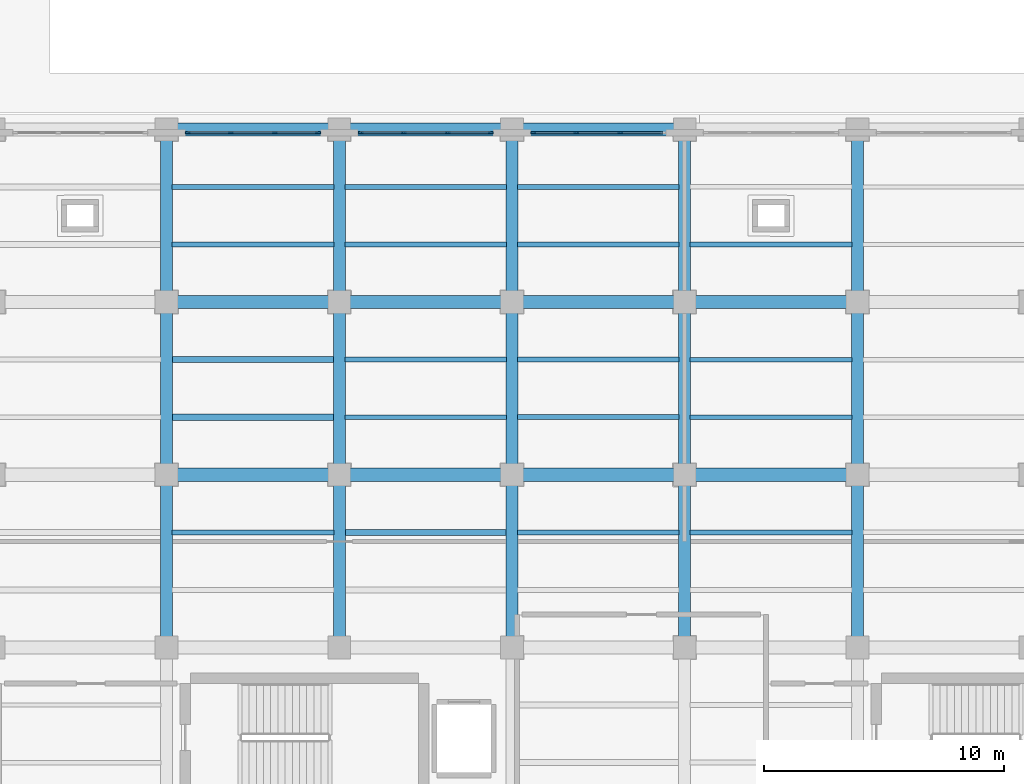
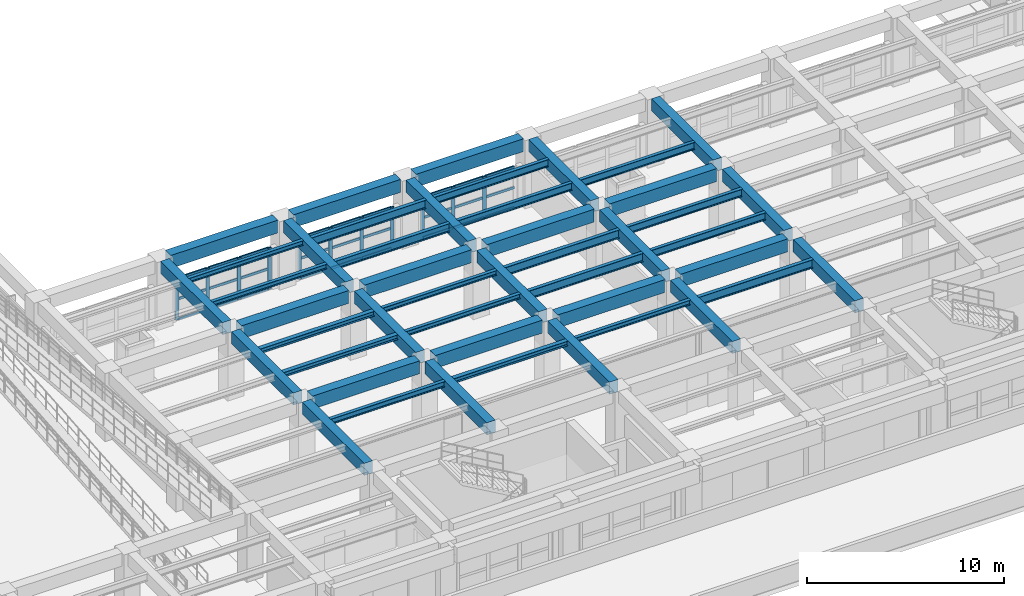
# One storey, part 14 of 64: 45 beams, 38 members, 3 elements without a shape of their own.
"""IFC4 building model written with IfcOpenShell, lengths in metres."""

from ifc_helpers import new_model, si_unit, direction, frame, origin, origin_2d, place, context, subcontext, project, spatial, rectangle, i_section, extrude, material, layer, layer_set, material_profile, profile_set, type_object, element, aggregate, save


model = new_model("IFC4")

# Units and contexts
model_context = context("Model", 3, precision=1e-05, world=origin(), true_north=direction((0.0, 1.0)))
body_context = subcontext(model_context, "Body", "Model", "MODEL_VIEW")
ifc_project = project(units=[si_unit("LENGTHUNIT", "METRE"), si_unit("AREAUNIT", "SQUARE_METRE"), si_unit("VOLUMEUNIT", "CUBIC_METRE"), si_unit("PLANEANGLEUNIT", "RADIAN"), si_unit("MASSUNIT", "GRAM", prefix="KILO")], contexts=[model_context])

# Site, building, storey
site_placement = place(None, origin())
site = spatial("IfcSite", under=ifc_project, at=site_placement, CompositionType="ELEMENT")
building_placement = place(site_placement, origin())
building = spatial("IfcBuilding", under=site, at=building_placement, Name="Solenvale Faculty of Natural Sciences", CompositionType="ELEMENT")
storey_placement = place(building_placement, origin())
storey = spatial("IfcBuildingStorey", under=building, at=storey_placement, Name="L00", CompositionType="ELEMENT", Elevation=0.0)

# Beams
ifc_material_1 = material(Name="Concrete 40 MPa", Category="concrete")
ifc_material_profile_1 = material_profile(ifc_material_1, rectangle(XDim=0.5, YDim=0.75, at=origin_2d()), Name="RC-BM-500x750")
ifc_profile_set_1 = profile_set([ifc_material_profile_1], Name="Concrete 40 MPa")
beam_type_1 = type_object("IfcBeamType", Name="BM-RC-500x750", PredefinedType="BEAM", material=ifc_profile_set_1)
for number, where, z_axis, x_axis, name in (
    (1, (64.800048828125, 29.2548828125, 3.844970703125), (0.0, 1.0, 0.0), (-1.0, 0.0, 0.0), "L00 Y-Girder X64.8 (28.8..36.0)"),
    (2, (64.800048828125, 36.455078125, 3.844970703125), (0.0, 1.0, 0.0), (-1.0, 0.0, 0.0), "L00 Y-Girder X64.8 (36.0..43.2)"),
    (3, (64.800048828125, 43.655029296875, 3.844970703125), (0.0, 1.0, 0.0), (-1.0, 0.0, 0.0), "L00 Y-Girder X64.8 (43.2..50.4)"),
    (4, (72.0, 29.2548828125, 3.844970703125), (0.0, 1.0, 0.0), (-1.0, 0.0, 0.0), "L00 Y-Girder X72.0 (28.8..36.0)"),
    (5, (72.0, 36.455078125, 3.844970703125), (0.0, 1.0, 0.0), (-1.0, 0.0, 0.0), "L00 Y-Girder X72.0 (36.0..43.2)"),
    (6, (72.0, 43.655029296875, 3.844970703125), (0.0, 1.0, 0.0), (-1.0, 0.0, 0.0), "L00 Y-Girder X72.0 (43.2..50.4)"),
    (7, (79.199951171875, 29.2548828125, 3.844970703125), (0.0, 1.0, 0.0), (-1.0, 0.0, 0.0), "L00 Y-Girder X79.2 (28.8..36.0)"),
    (8, (79.199951171875, 36.455078125, 3.844970703125), (0.0, 1.0, 0.0), (-1.0, 0.0, 0.0), "L00 Y-Girder X79.2 (36.0..43.2)"),
    (9, (79.199951171875, 43.655029296875, 3.844970703125), (0.0, 1.0, 0.0), (-1.0, 0.0, 0.0), "L00 Y-Girder X79.2 (43.2..50.4)"),
    (10, (86.39990234375, 29.2548828125, 3.844970703125), (0.0, 1.0, 0.0), (-1.0, 0.0, 0.0), "L00 Y-Girder X86.4 (28.8..36.0)"),
    (11, (86.39990234375, 36.455078125, 3.844970703125), (0.0, 1.0, 0.0), (-1.0, 0.0, 0.0), "L00 Y-Girder X86.4 (36.0..43.2)"),
    (12, (86.39990234375, 43.655029296875, 3.844970703125), (0.0, 1.0, 0.0), (-1.0, 0.0, 0.0), "L00 Y-Girder X86.4 (43.2..50.4)"),
    (13, (93.60009765625, 29.2548828125, 3.844970703125), (0.0, 1.0, 0.0), (-1.0, 0.0, 0.0), "L00 Y-Girder X93.6 (28.8..36.0)"),
    (14, (93.60009765625, 36.455078125, 3.844970703125), (0.0, 1.0, 0.0), (-1.0, 0.0, 0.0), "L00 Y-Girder X93.6 (36.0..43.2)"),
    (15, (93.60009765625, 43.655029296875, 3.844970703125), (0.0, 1.0, 0.0), (-1.0, 0.0, 0.0), "L00 Y-Girder X93.6 (43.2..50.4)"),
):
    element("IfcBeam", number, at=place(storey_placement, frame(where, z_axis=z_axis, x_axis=x_axis)), inside=storey, type_object=beam_type_1, Name=name, PredefinedType="BEAM", context=body_context, shape_type="SweptSolid", body=[
        extrude(rectangle(XDim=0.5, YDim=0.75, at=origin_2d()), origin(), (0.0, 0.0, 1.0), 6.2900390625),
    ])
ifc_material_profile_2 = material_profile(ifc_material_1, rectangle(XDim=0.550048828125, YDim=0.800048828125, at=origin_2d()), Name="RC-BM-550x800")
ifc_profile_set_2 = profile_set([ifc_material_profile_2], Name="Concrete 40 MPa")
beam_type_2 = type_object("IfcBeamType", Name="BM-RC-550x800", PredefinedType="BEAM", material=ifc_profile_set_2)
for number, where, z_axis, x_axis, name in (
    (16, (65.2548828125, 36.0, 3.820068359375), (1.0, 0.0, 0.0), (0.0, 1.0, 0.0), "L00 X-Girder Y36.0 (64.8..72.0)"),
    (17, (72.455078125, 36.0, 3.820068359375), (1.0, 0.0, 0.0), (0.0, 1.0, 0.0), "L00 X-Girder Y36.0 (72.0..79.2)"),
    (18, (79.655029296875, 36.0, 3.820068359375), (1.0, 0.0, 0.0), (0.0, 1.0, 0.0), "L00 X-Girder Y36.0 (79.2..86.4)"),
    (19, (86.85498046875, 36.0, 3.820068359375), (1.0, 0.0, 0.0), (0.0, 1.0, 0.0), "L00 X-Girder Y36.0 (86.4..93.6)"),
    (20, (65.2548828125, 43.199951171875, 3.820068359375), (1.0, 0.0, 0.0), (0.0, 1.0, 0.0), "L00 X-Girder Y43.2 (64.8..72.0)"),
    (21, (72.455078125, 43.199951171875, 3.820068359375), (1.0, 0.0, 0.0), (0.0, 1.0, 0.0), "L00 X-Girder Y43.2 (72.0..79.2)"),
    (22, (79.655029296875, 43.199951171875, 3.820068359375), (1.0, 0.0, 0.0), (0.0, 1.0, 0.0), "L00 X-Girder Y43.2 (79.2..86.4)"),
    (23, (86.85498046875, 43.199951171875, 3.820068359375), (1.0, 0.0, 0.0), (0.0, 1.0, 0.0), "L00 X-Girder Y43.2 (86.4..93.6)"),
    (24, (65.2548828125, 50.39990234375, 3.820068359375), (1.0, 0.0, 0.0), (0.0, 1.0, 0.0), "L00 X-Girder Y50.4 (64.8..72.0)"),
    (25, (72.455078125, 50.39990234375, 3.820068359375), (1.0, 0.0, 0.0), (0.0, 1.0, 0.0), "L00 X-Girder Y50.4 (72.0..79.2)"),
    (26, (79.655029296875, 50.39990234375, 3.820068359375), (1.0, 0.0, 0.0), (0.0, 1.0, 0.0), "L00 X-Girder Y50.4 (79.2..86.4)"),
):
    element("IfcBeam", number, at=place(storey_placement, frame(where, z_axis=z_axis, x_axis=x_axis)), inside=storey, type_object=beam_type_2, Name=name, PredefinedType="BEAM", context=body_context, shape_type="SweptSolid", body=[
        extrude(rectangle(XDim=0.550048828125, YDim=0.800048828125, at=origin_2d()), origin(), (0.0, 0.0, 1.0), 6.2900390625),
    ])
ifc_material_2 = material(Name="Steel S355", Category="steel")
ifc_material_profile_3 = material_profile(ifc_material_2, i_section(OverallWidth=0.202880859375, OverallDepth=0.302978515625, WebThickness=0.007568359375, FlangeThickness=0.01318359375, FilletRadius=0.014892578125, at=origin_2d()), Name="W310x60")
ifc_profile_set_3 = profile_set([ifc_material_profile_3], Name="Steel S355")
beam_type_3 = type_object("IfcBeamType", Name="BM-STL-W310x60", PredefinedType="JOIST", material=ifc_profile_set_3)
for number, where, z_axis, x_axis, name in (
    (27, (65.030029296875, 45.60009765625, 4.068603515625), (1.0, 0.0, 0.0), (0.0, 1.0, 0.0), "L00 Composite Floor Joist (10,7).1"),
    (28, (65.030029296875, 48.0, 4.068603515625), (1.0, 0.0, 0.0), (0.0, 1.0, 0.0), "L00 Composite Floor Joist (10,7).2"),
    (29, (72.22998046875, 38.39990234375, 4.068603515625), (1.0, 0.0, 0.0), (0.0, 1.0, 0.0), "L00 Composite Floor Joist (11,6).1"),
    (30, (72.22998046875, 40.800048828125, 4.068603515625), (1.0, 0.0, 0.0), (0.0, 1.0, 0.0), "L00 Composite Floor Joist (11,6).2"),
    (31, (79.429931640625, 33.60009765625, 4.068603515625), (1.0, 0.0, 0.0), (0.0, 1.0, 0.0), "L00 Composite Floor Joist (12,5).2"),
):
    element("IfcBeam", number, at=place(storey_placement, frame(where, z_axis=z_axis, x_axis=x_axis)), inside=storey, type_object=beam_type_3, Name=name, PredefinedType="JOIST", context=body_context, shape_type="SweptSolid", body=[
        extrude(i_section(OverallWidth=0.202880859375, OverallDepth=0.302978515625, WebThickness=0.007568359375, FlangeThickness=0.01318359375, FilletRadius=0.014892578125, at=origin_2d()), origin(), (0.0, 0.0, 1.0), 6.739990234375),
    ])
ifc_material_profile_4 = material_profile(ifc_material_2, i_section(OverallWidth=0.25390625, OverallDepth=0.305908203125, WebThickness=0.0087890625, FlangeThickness=0.0146484375, FilletRadius=0.014892578125, at=origin_2d()), Name="W310x79")
ifc_profile_set_4 = profile_set([ifc_material_profile_4], Name="Steel S355")
beam_type_4 = type_object("IfcBeamType", Name="BM-STL-W310x79", PredefinedType="JOIST", material=ifc_profile_set_4)
for number, where, z_axis, x_axis, name in (
    (32, (65.030029296875, 38.39990234375, 4.06689453125), (1.0, 0.0, 0.0), (0.0, 1.0, 0.0), "L00 Composite Floor Joist (10,6).1"),
    (33, (65.030029296875, 40.800048828125, 4.06689453125), (1.0, 0.0, 0.0), (0.0, 1.0, 0.0), "L00 Composite Floor Joist (10,6).2"),
    (34, (72.22998046875, 33.60009765625, 4.06689453125), (1.0, 0.0, 0.0), (0.0, 1.0, 0.0), "L00 Composite Floor Joist (11,5).2"),
):
    element("IfcBeam", number, at=place(storey_placement, frame(where, z_axis=z_axis, x_axis=x_axis)), inside=storey, type_object=beam_type_4, Name=name, PredefinedType="JOIST", context=body_context, shape_type="SweptSolid", body=[
        extrude(i_section(OverallWidth=0.25390625, OverallDepth=0.305908203125, WebThickness=0.0087890625, FlangeThickness=0.0146484375, FilletRadius=0.014892578125, at=origin_2d()), origin(), (0.0, 0.0, 1.0), 6.739990234375),
    ])
ifc_material_profile_5 = material_profile(ifc_material_2, i_section(OverallWidth=0.2041015625, OverallDepth=0.35009765625, WebThickness=0.008544921875, FlangeThickness=0.01513671875, FilletRadius=0.014892578125, at=origin_2d()), Name="W360x72")
ifc_profile_set_5 = profile_set([ifc_material_profile_5], Name="Steel S355")
beam_type_5 = type_object("IfcBeamType", Name="BM-STL-W360x72", PredefinedType="JOIST", material=ifc_profile_set_5)
beam_1_placement = place(storey_placement, frame((65.030029296875, 33.60009765625, 4.044921875), z_axis=(1.0, 0.0, 0.0), x_axis=(0.0, 1.0, 0.0)))
element("IfcBeam", 35, at=beam_1_placement, inside=storey, type_object=beam_type_5, Name="L00 Composite Floor Joist (10,5).2", PredefinedType="JOIST", context=body_context, shape_type="SweptSolid", body=[
    extrude(i_section(OverallWidth=0.2041015625, OverallDepth=0.35009765625, WebThickness=0.008544921875, FlangeThickness=0.01513671875, FilletRadius=0.014892578125, at=origin_2d()), origin(), (0.0, 0.0, 1.0), 6.739990234375),
])
ifc_material_profile_6 = material_profile(ifc_material_2, i_section(OverallWidth=0.194091796875, OverallDepth=0.468994140625, WebThickness=0.0126953125, FlangeThickness=0.0205078125, FilletRadius=0.01806640625, at=origin_2d()), Name="W460x106")
ifc_profile_set_6 = profile_set([ifc_material_profile_6], Name="Steel S355")
beam_type_6 = type_object("IfcBeamType", Name="BM-STL-W460x106", PredefinedType="JOIST", material=ifc_profile_set_6)
for number, where, z_axis, x_axis, name in (
    (36, (79.429931640625, 45.60009765625, 3.985595703125), (1.0, 0.0, 0.0), (0.0, 1.0, 0.0), "L00 Composite Floor Joist (12,7).1"),
    (37, (79.429931640625, 48.0, 3.985595703125), (1.0, 0.0, 0.0), (0.0, 1.0, 0.0), "L00 Composite Floor Joist (12,7).2"),
):
    element("IfcBeam", number, at=place(storey_placement, frame(where, z_axis=z_axis, x_axis=x_axis)), inside=storey, type_object=beam_type_6, Name=name, PredefinedType="JOIST", context=body_context, shape_type="SweptSolid", body=[
        extrude(i_section(OverallWidth=0.194091796875, OverallDepth=0.468994140625, WebThickness=0.0126953125, FlangeThickness=0.0205078125, FilletRadius=0.01806640625, at=origin_2d()), origin(), (0.0, 0.0, 1.0), 6.739990234375),
    ])
for number, where, z_axis, x_axis, name in (
    (38, (86.6298828125, 38.39990234375, 3.985595703125), (1.0, 0.0, 0.0), (0.0, 1.0, 0.0), "L00 Composite Floor Joist (13,6).1"),
    (39, (86.6298828125, 40.800048828125, 3.985595703125), (1.0, 0.0, 0.0), (0.0, 1.0, 0.0), "L00 Composite Floor Joist (13,6).2"),
):
    element("IfcBeam", number, at=place(storey_placement, frame(where, z_axis=z_axis, x_axis=x_axis)), inside=storey, type_object=beam_type_6, Name=name, PredefinedType="JOIST", context=body_context, shape_type="SweptSolid", body=[
        extrude(i_section(OverallWidth=0.194091796875, OverallDepth=0.468994140625, WebThickness=0.0126953125, FlangeThickness=0.0205078125, FilletRadius=0.01806640625, at=origin_2d()), origin(), (0.0, 0.0, 1.0), 6.740234375),
    ])
ifc_material_profile_7 = material_profile(ifc_material_2, i_section(OverallWidth=0.19091796875, OverallDepth=0.4599609375, WebThickness=0.010009765625, FlangeThickness=0.01611328125, FilletRadius=0.01806640625, at=origin_2d()), Name="W460x82")
ifc_profile_set_7 = profile_set([ifc_material_profile_7], Name="Steel S355")
beam_type_7 = type_object("IfcBeamType", Name="BM-STL-W460x82", PredefinedType="JOIST", material=ifc_profile_set_7)
beam_2_placement = place(storey_placement, frame((86.6298828125, 45.60009765625, 3.989990234375), z_axis=(1.0, 0.0, 0.0), x_axis=(0.0, 1.0, 0.0)))
element("IfcBeam", 40, at=beam_2_placement, inside=storey, type_object=beam_type_7, Name="L00 Composite Floor Joist (13,7).1", PredefinedType="JOIST", context=body_context, shape_type="SweptSolid", body=[
    extrude(i_section(OverallWidth=0.19091796875, OverallDepth=0.4599609375, WebThickness=0.010009765625, FlangeThickness=0.01611328125, FilletRadius=0.01806640625, at=origin_2d()), origin(), (0.0, 0.0, 1.0), 6.740234375),
])
ifc_material_profile_8 = material_profile(ifc_material_2, i_section(OverallWidth=0.208984375, OverallDepth=0.532958984375, WebThickness=0.01025390625, FlangeThickness=0.015625, FilletRadius=0.01904296875, at=origin_2d()), Name="W530x92")
ifc_profile_set_8 = profile_set([ifc_material_profile_8], Name="Steel S355")
beam_type_8 = type_object("IfcBeamType", Name="BM-STL-W530x92", PredefinedType="JOIST", material=ifc_profile_set_8)
for number, where, z_axis, x_axis, name in (
    (41, (72.22998046875, 45.60009765625, 3.95361328125), (1.0, 0.0, 0.0), (0.0, 1.0, 0.0), "L00 Composite Floor Joist (11,7).1"),
    (42, (72.22998046875, 48.0, 3.95361328125), (1.0, 0.0, 0.0), (0.0, 1.0, 0.0), "L00 Composite Floor Joist (11,7).2"),
    (43, (79.429931640625, 38.39990234375, 3.95361328125), (1.0, 0.0, 0.0), (0.0, 1.0, 0.0), "L00 Composite Floor Joist (12,6).1"),
    (44, (79.429931640625, 40.800048828125, 3.95361328125), (1.0, 0.0, 0.0), (0.0, 1.0, 0.0), "L00 Composite Floor Joist (12,6).2"),
):
    element("IfcBeam", number, at=place(storey_placement, frame(where, z_axis=z_axis, x_axis=x_axis)), inside=storey, type_object=beam_type_8, Name=name, PredefinedType="JOIST", context=body_context, shape_type="SweptSolid", body=[
        extrude(i_section(OverallWidth=0.208984375, OverallDepth=0.532958984375, WebThickness=0.01025390625, FlangeThickness=0.015625, FilletRadius=0.01904296875, at=origin_2d()), origin(), (0.0, 0.0, 1.0), 6.739990234375),
    ])
beam_3_placement = place(storey_placement, frame((86.6298828125, 33.60009765625, 3.95361328125), z_axis=(1.0, 0.0, 0.0), x_axis=(0.0, 1.0, 0.0)))
element("IfcBeam", 45, at=beam_3_placement, inside=storey, type_object=beam_type_8, Name="L00 Composite Floor Joist (13,5).2", PredefinedType="JOIST", context=body_context, shape_type="SweptSolid", body=[
    extrude(i_section(OverallWidth=0.208984375, OverallDepth=0.532958984375, WebThickness=0.01025390625, FlangeThickness=0.015625, FilletRadius=0.01904296875, at=origin_2d()), origin(), (0.0, 0.0, 1.0), 6.740234375),
])

# Curtain wall, members
ifc_material_3 = material(Name="Anodised bronze aluminium", Category="aluminium")
ifc_layer = layer(ifc_material_3, 0.179931640625)
ifc_layer_set = layer_set([ifc_layer], Name="Anodised bronze aluminium")
curtain_wall_type = type_object("IfcCurtainWallType", Name="CW-TWR-MOD", PredefinedType="USERDEFINED", material=ifc_layer_set)
curtain_wall_1_placement = place(storey_placement, origin())
curtain_wall_1 = element("IfcCurtainWall", 46, at=curtain_wall_1_placement, inside=storey, type_object=curtain_wall_type, Name="L00 Curtain Wall CW-L00-P1-E9-B5", ObjectType="UNITISED CURTAIN WALL", PredefinedType="USERDEFINED")
ifc_material_profile_9 = material_profile(ifc_material_3, rectangle(XDim=0.074951171875, YDim=0.2099609375, at=origin_2d()), Name="ALU-MUL-75x210")
ifc_profile_set_9 = profile_set([ifc_material_profile_9], Name="Anodised bronze aluminium")
member_type_1 = type_object("IfcMemberType", Name="CWM-ALU-75x210", PredefinedType="MULLION", material=ifc_profile_set_9)
member_1_placement = place(storey_placement, frame((83.716552734375, 50.257568359375, 0.0), z_axis=(0.0, 0.0, 1.0), x_axis=(0.0, -1.0, 0.0)))
member_1 = element("IfcMember", 47, at=member_1_placement, type_object=member_type_1, Name="CW-04 mullion 2", PredefinedType="MULLION", context=body_context, shape_type="SweptSolid", body=[
    extrude(rectangle(XDim=0.074951171875, YDim=0.2099609375, at=origin_2d()), origin(), (0.0, 0.0, 1.0), 2.60009765625),
])
member_2_placement = place(storey_placement, frame((81.88330078125, 50.257568359375, 0.0), z_axis=(0.0, 0.0, 1.0), x_axis=(0.0, -1.0, 0.0)))
member_2 = element("IfcMember", 48, at=member_2_placement, type_object=member_type_1, Name="CW-04 mullion 3", PredefinedType="MULLION", context=body_context, shape_type="SweptSolid", body=[
    extrude(rectangle(XDim=0.074951171875, YDim=0.2099609375, at=origin_2d()), origin(), (0.0, 0.0, 1.0), 2.60009765625),
])
member_3_placement = place(storey_placement, frame((80.08740234375, 50.257568359375, 0.0), z_axis=(0.0, 0.0, 1.0), x_axis=(0.0, -1.0, 0.0)))
member_3 = element("IfcMember", 49, at=member_3_placement, type_object=member_type_1, Name="CW-04 mullion 4", PredefinedType="MULLION", context=body_context, shape_type="SweptSolid", body=[
    extrude(rectangle(XDim=0.074951171875, YDim=0.2099609375, at=origin_2d()), origin(), (0.0, 0.0, 1.0), 2.60009765625),
])

curtain_wall_2_placement = place(storey_placement, origin())
curtain_wall_2 = element("IfcCurtainWall", 50, at=curtain_wall_2_placement, inside=storey, type_object=curtain_wall_type, Name="L00 Curtain Wall CW-L00-P1-E9-B6", ObjectType="UNITISED CURTAIN WALL", PredefinedType="USERDEFINED")
member_4_placement = place(storey_placement, frame((78.3125, 50.257568359375, 0.0), z_axis=(0.0, 0.0, 1.0), x_axis=(0.0, -1.0, 0.0)))
member_4 = element("IfcMember", 51, at=member_4_placement, type_object=member_type_1, Name="CW-04 mullion 1", PredefinedType="MULLION", context=body_context, shape_type="SweptSolid", body=[
    extrude(rectangle(XDim=0.074951171875, YDim=0.2099609375, at=origin_2d()), origin(), (0.0, 0.0, 1.0), 2.60009765625),
])
member_5_placement = place(storey_placement, frame((76.5166015625, 50.257568359375, 0.0), z_axis=(0.0, 0.0, 1.0), x_axis=(0.0, -1.0, 0.0)))
member_5 = element("IfcMember", 52, at=member_5_placement, type_object=member_type_1, Name="CW-04 mullion 2", PredefinedType="MULLION", context=body_context, shape_type="SweptSolid", body=[
    extrude(rectangle(XDim=0.074951171875, YDim=0.2099609375, at=origin_2d()), origin(), (0.0, 0.0, 1.0), 2.60009765625),
])
member_6_placement = place(storey_placement, frame((74.683349609375, 50.257568359375, 0.0), z_axis=(0.0, 0.0, 1.0), x_axis=(0.0, -1.0, 0.0)))
member_6 = element("IfcMember", 53, at=member_6_placement, type_object=member_type_1, Name="CW-04 mullion 3", PredefinedType="MULLION", context=body_context, shape_type="SweptSolid", body=[
    extrude(rectangle(XDim=0.074951171875, YDim=0.2099609375, at=origin_2d()), origin(), (0.0, 0.0, 1.0), 2.60009765625),
])
member_7_placement = place(storey_placement, frame((72.887451171875, 50.257568359375, 0.0), z_axis=(0.0, 0.0, 1.0), x_axis=(0.0, -1.0, 0.0)))
member_7 = element("IfcMember", 54, at=member_7_placement, type_object=member_type_1, Name="CW-04 mullion 4", PredefinedType="MULLION", context=body_context, shape_type="SweptSolid", body=[
    extrude(rectangle(XDim=0.074951171875, YDim=0.2099609375, at=origin_2d()), origin(), (0.0, 0.0, 1.0), 2.60009765625),
])

curtain_wall_3_placement = place(storey_placement, origin())
curtain_wall_3 = element("IfcCurtainWall", 55, at=curtain_wall_3_placement, inside=storey, type_object=curtain_wall_type, Name="L00 Curtain Wall CW-L00-P1-E9-B7", ObjectType="UNITISED CURTAIN WALL", PredefinedType="USERDEFINED")
member_8_placement = place(storey_placement, frame((71.112548828125, 50.257568359375, 0.0), z_axis=(0.0, 0.0, 1.0), x_axis=(0.0, -1.0, 0.0)))
member_8 = element("IfcMember", 56, at=member_8_placement, type_object=member_type_1, Name="CW-04 mullion 1", PredefinedType="MULLION", context=body_context, shape_type="SweptSolid", body=[
    extrude(rectangle(XDim=0.074951171875, YDim=0.2099609375, at=origin_2d()), origin(), (0.0, 0.0, 1.0), 2.60009765625),
])
member_9_placement = place(storey_placement, frame((69.316650390625, 50.257568359375, 0.0), z_axis=(0.0, 0.0, 1.0), x_axis=(0.0, -1.0, 0.0)))
member_9 = element("IfcMember", 57, at=member_9_placement, type_object=member_type_1, Name="CW-04 mullion 2", PredefinedType="MULLION", context=body_context, shape_type="SweptSolid", body=[
    extrude(rectangle(XDim=0.074951171875, YDim=0.2099609375, at=origin_2d()), origin(), (0.0, 0.0, 1.0), 2.60009765625),
])
member_10_placement = place(storey_placement, frame((67.4833984375, 50.257568359375, 0.0), z_axis=(0.0, 0.0, 1.0), x_axis=(0.0, -1.0, 0.0)))
member_10 = element("IfcMember", 58, at=member_10_placement, type_object=member_type_1, Name="CW-04 mullion 3", PredefinedType="MULLION", context=body_context, shape_type="SweptSolid", body=[
    extrude(rectangle(XDim=0.074951171875, YDim=0.2099609375, at=origin_2d()), origin(), (0.0, 0.0, 1.0), 2.60009765625),
])
member_11_placement = place(storey_placement, frame((65.6875, 50.257568359375, 0.0), z_axis=(0.0, 0.0, 1.0), x_axis=(0.0, -1.0, 0.0)))
member_11 = element("IfcMember", 59, at=member_11_placement, type_object=member_type_1, Name="CW-04 mullion 4", PredefinedType="MULLION", context=body_context, shape_type="SweptSolid", body=[
    extrude(rectangle(XDim=0.074951171875, YDim=0.2099609375, at=origin_2d()), origin(), (0.0, 0.0, 1.0), 2.60009765625),
])

# Member
ifc_material_profile_10 = material_profile(ifc_material_3, rectangle(XDim=0.074951171875, YDim=0.155029296875, at=origin_2d()), Name="ALU-TRN-75x155")
ifc_profile_set_10 = profile_set([ifc_material_profile_10], Name="Anodised bronze aluminium")
member_type_2 = type_object("IfcMemberType", Name="CWT-ALU-75x155", PredefinedType="USERDEFINED", material=ifc_profile_set_10)
member_12_placement = place(storey_placement, frame((85.47509765625, 50.257568359375, 0.03759765625), z_axis=(-1.0, 0.0, 0.0), x_axis=(0.0, -1.0, 0.0)))
member_12 = element("IfcMember", 60, at=member_12_placement, type_object=member_type_2, Name="CW-04 transom 1.1", ObjectType="TRANSOM", PredefinedType="USERDEFINED", context=body_context, shape_type="SweptSolid", body=[
    extrude(rectangle(XDim=0.074951171875, YDim=0.155029296875, at=origin_2d()), origin(), (0.0, 0.0, 1.0), 1.720947265625),
])

member_13_placement = place(storey_placement, frame((85.47509765625, 50.257568359375, 1.300048828125), z_axis=(-1.0, 0.0, 0.0), x_axis=(0.0, -1.0, 0.0)))
member_13 = element("IfcMember", 61, at=member_13_placement, type_object=member_type_2, Name="CW-04 transom 1.2", ObjectType="TRANSOM", PredefinedType="USERDEFINED", context=body_context, shape_type="SweptSolid", body=[
    extrude(rectangle(XDim=0.074951171875, YDim=0.155029296875, at=origin_2d()), origin(), (0.0, 0.0, 1.0), 1.720947265625),
])

member_14_placement = place(storey_placement, frame((85.47509765625, 50.257568359375, 2.5625), z_axis=(-1.0, 0.0, 0.0), x_axis=(0.0, -1.0, 0.0)))
member_14 = element("IfcMember", 62, at=member_14_placement, type_object=member_type_2, Name="CW-04 transom 1.3", ObjectType="TRANSOM", PredefinedType="USERDEFINED", context=body_context, shape_type="SweptSolid", body=[
    extrude(rectangle(XDim=0.074951171875, YDim=0.155029296875, at=origin_2d()), origin(), (0.0, 0.0, 1.0), 1.720947265625),
])

member_15_placement = place(storey_placement, frame((83.67919921875, 50.257568359375, 0.03759765625), z_axis=(-1.0, 0.0, 0.0), x_axis=(0.0, -1.0, 0.0)))
member_15 = element("IfcMember", 63, at=member_15_placement, type_object=member_type_2, Name="CW-04 transom 2.1", ObjectType="TRANSOM", PredefinedType="USERDEFINED", context=body_context, shape_type="SweptSolid", body=[
    extrude(rectangle(XDim=0.074951171875, YDim=0.155029296875, at=origin_2d()), origin(), (0.0, 0.0, 1.0), 1.75830078125),
])

member_16_placement = place(storey_placement, frame((83.67919921875, 50.257568359375, 1.300048828125), z_axis=(-1.0, 0.0, 0.0), x_axis=(0.0, -1.0, 0.0)))
member_16 = element("IfcMember", 64, at=member_16_placement, type_object=member_type_2, Name="CW-04 transom 2.2", ObjectType="TRANSOM", PredefinedType="USERDEFINED", context=body_context, shape_type="SweptSolid", body=[
    extrude(rectangle(XDim=0.074951171875, YDim=0.155029296875, at=origin_2d()), origin(), (0.0, 0.0, 1.0), 1.75830078125),
])

member_17_placement = place(storey_placement, frame((83.67919921875, 50.257568359375, 2.5625), z_axis=(-1.0, 0.0, 0.0), x_axis=(0.0, -1.0, 0.0)))
member_17 = element("IfcMember", 65, at=member_17_placement, type_object=member_type_2, Name="CW-04 transom 2.3", ObjectType="TRANSOM", PredefinedType="USERDEFINED", context=body_context, shape_type="SweptSolid", body=[
    extrude(rectangle(XDim=0.074951171875, YDim=0.155029296875, at=origin_2d()), origin(), (0.0, 0.0, 1.0), 1.75830078125),
])

member_18_placement = place(storey_placement, frame((81.845947265625, 50.257568359375, 0.03759765625), z_axis=(-1.0, 0.0, 0.0), x_axis=(0.0, -1.0, 0.0)))
member_18 = element("IfcMember", 66, at=member_18_placement, type_object=member_type_2, Name="CW-04 transom 3.1", ObjectType="TRANSOM", PredefinedType="USERDEFINED", context=body_context, shape_type="SweptSolid", body=[
    extrude(rectangle(XDim=0.074951171875, YDim=0.155029296875, at=origin_2d()), origin(), (0.0, 0.0, 1.0), 1.720947265625),
])

member_19_placement = place(storey_placement, frame((81.845947265625, 50.257568359375, 1.300048828125), z_axis=(-1.0, 0.0, 0.0), x_axis=(0.0, -1.0, 0.0)))
member_19 = element("IfcMember", 67, at=member_19_placement, type_object=member_type_2, Name="CW-04 transom 3.2", ObjectType="TRANSOM", PredefinedType="USERDEFINED", context=body_context, shape_type="SweptSolid", body=[
    extrude(rectangle(XDim=0.074951171875, YDim=0.155029296875, at=origin_2d()), origin(), (0.0, 0.0, 1.0), 1.720947265625),
])

member_20_placement = place(storey_placement, frame((81.845947265625, 50.257568359375, 2.5625), z_axis=(-1.0, 0.0, 0.0), x_axis=(0.0, -1.0, 0.0)))
member_20 = element("IfcMember", 68, at=member_20_placement, type_object=member_type_2, Name="CW-04 transom 3.3", ObjectType="TRANSOM", PredefinedType="USERDEFINED", context=body_context, shape_type="SweptSolid", body=[
    extrude(rectangle(XDim=0.074951171875, YDim=0.155029296875, at=origin_2d()), origin(), (0.0, 0.0, 1.0), 1.720947265625),
])

aggregate(curtain_wall_1, [member_1, member_2, member_3, member_12, member_13, member_14, member_15, member_16, member_17, member_18, member_19, member_20])

member_21_placement = place(storey_placement, frame((78.27490234375, 50.257568359375, 0.03759765625), z_axis=(-1.0, 0.0, 0.0), x_axis=(0.0, -1.0, 0.0)))
member_21 = element("IfcMember", 69, at=member_21_placement, type_object=member_type_2, Name="CW-04 transom 1.1", ObjectType="TRANSOM", PredefinedType="USERDEFINED", context=body_context, shape_type="SweptSolid", body=[
    extrude(rectangle(XDim=0.074951171875, YDim=0.155029296875, at=origin_2d()), origin(), (0.0, 0.0, 1.0), 1.720703125),
])

member_22_placement = place(storey_placement, frame((78.27490234375, 50.257568359375, 1.300048828125), z_axis=(-1.0, 0.0, 0.0), x_axis=(0.0, -1.0, 0.0)))
member_22 = element("IfcMember", 70, at=member_22_placement, type_object=member_type_2, Name="CW-04 transom 1.2", ObjectType="TRANSOM", PredefinedType="USERDEFINED", context=body_context, shape_type="SweptSolid", body=[
    extrude(rectangle(XDim=0.074951171875, YDim=0.155029296875, at=origin_2d()), origin(), (0.0, 0.0, 1.0), 1.720703125),
])

member_23_placement = place(storey_placement, frame((78.27490234375, 50.257568359375, 2.5625), z_axis=(-1.0, 0.0, 0.0), x_axis=(0.0, -1.0, 0.0)))
member_23 = element("IfcMember", 71, at=member_23_placement, type_object=member_type_2, Name="CW-04 transom 1.3", ObjectType="TRANSOM", PredefinedType="USERDEFINED", context=body_context, shape_type="SweptSolid", body=[
    extrude(rectangle(XDim=0.074951171875, YDim=0.155029296875, at=origin_2d()), origin(), (0.0, 0.0, 1.0), 1.720703125),
])

member_24_placement = place(storey_placement, frame((76.479248046875, 50.257568359375, 0.03759765625), z_axis=(-1.0, 0.0, 0.0), x_axis=(0.0, -1.0, 0.0)))
member_24 = element("IfcMember", 72, at=member_24_placement, type_object=member_type_2, Name="CW-04 transom 2.1", ObjectType="TRANSOM", PredefinedType="USERDEFINED", context=body_context, shape_type="SweptSolid", body=[
    extrude(rectangle(XDim=0.074951171875, YDim=0.155029296875, at=origin_2d()), origin(), (0.0, 0.0, 1.0), 1.75830078125),
])

member_25_placement = place(storey_placement, frame((76.479248046875, 50.257568359375, 1.300048828125), z_axis=(-1.0, 0.0, 0.0), x_axis=(0.0, -1.0, 0.0)))
member_25 = element("IfcMember", 73, at=member_25_placement, type_object=member_type_2, Name="CW-04 transom 2.2", ObjectType="TRANSOM", PredefinedType="USERDEFINED", context=body_context, shape_type="SweptSolid", body=[
    extrude(rectangle(XDim=0.074951171875, YDim=0.155029296875, at=origin_2d()), origin(), (0.0, 0.0, 1.0), 1.75830078125),
])

member_26_placement = place(storey_placement, frame((76.479248046875, 50.257568359375, 2.5625), z_axis=(-1.0, 0.0, 0.0), x_axis=(0.0, -1.0, 0.0)))
member_26 = element("IfcMember", 74, at=member_26_placement, type_object=member_type_2, Name="CW-04 transom 2.3", ObjectType="TRANSOM", PredefinedType="USERDEFINED", context=body_context, shape_type="SweptSolid", body=[
    extrude(rectangle(XDim=0.074951171875, YDim=0.155029296875, at=origin_2d()), origin(), (0.0, 0.0, 1.0), 1.75830078125),
])

member_27_placement = place(storey_placement, frame((74.645751953125, 50.257568359375, 0.03759765625), z_axis=(-1.0, 0.0, 0.0), x_axis=(0.0, -1.0, 0.0)))
member_27 = element("IfcMember", 75, at=member_27_placement, type_object=member_type_2, Name="CW-04 transom 3.1", ObjectType="TRANSOM", PredefinedType="USERDEFINED", context=body_context, shape_type="SweptSolid", body=[
    extrude(rectangle(XDim=0.074951171875, YDim=0.155029296875, at=origin_2d()), origin(), (0.0, 0.0, 1.0), 1.720703125),
])

member_28_placement = place(storey_placement, frame((74.645751953125, 50.257568359375, 1.300048828125), z_axis=(-1.0, 0.0, 0.0), x_axis=(0.0, -1.0, 0.0)))
member_28 = element("IfcMember", 76, at=member_28_placement, type_object=member_type_2, Name="CW-04 transom 3.2", ObjectType="TRANSOM", PredefinedType="USERDEFINED", context=body_context, shape_type="SweptSolid", body=[
    extrude(rectangle(XDim=0.074951171875, YDim=0.155029296875, at=origin_2d()), origin(), (0.0, 0.0, 1.0), 1.720703125),
])

member_29_placement = place(storey_placement, frame((74.645751953125, 50.257568359375, 2.5625), z_axis=(-1.0, 0.0, 0.0), x_axis=(0.0, -1.0, 0.0)))
member_29 = element("IfcMember", 77, at=member_29_placement, type_object=member_type_2, Name="CW-04 transom 3.3", ObjectType="TRANSOM", PredefinedType="USERDEFINED", context=body_context, shape_type="SweptSolid", body=[
    extrude(rectangle(XDim=0.074951171875, YDim=0.155029296875, at=origin_2d()), origin(), (0.0, 0.0, 1.0), 1.720703125),
])

aggregate(curtain_wall_2, [member_4, member_5, member_6, member_7, member_21, member_22, member_23, member_24, member_25, member_26, member_27, member_28, member_29])

member_30_placement = place(storey_placement, frame((71.074951171875, 50.257568359375, 0.03759765625), z_axis=(-1.0, 0.0, 0.0), x_axis=(0.0, -1.0, 0.0)))
member_30 = element("IfcMember", 78, at=member_30_placement, type_object=member_type_2, Name="CW-04 transom 1.1", ObjectType="TRANSOM", PredefinedType="USERDEFINED", context=body_context, shape_type="SweptSolid", body=[
    extrude(rectangle(XDim=0.074951171875, YDim=0.155029296875, at=origin_2d()), origin(), (0.0, 0.0, 1.0), 1.720703125),
])

member_31_placement = place(storey_placement, frame((71.074951171875, 50.257568359375, 1.300048828125), z_axis=(-1.0, 0.0, 0.0), x_axis=(0.0, -1.0, 0.0)))
member_31 = element("IfcMember", 79, at=member_31_placement, type_object=member_type_2, Name="CW-04 transom 1.2", ObjectType="TRANSOM", PredefinedType="USERDEFINED", context=body_context, shape_type="SweptSolid", body=[
    extrude(rectangle(XDim=0.074951171875, YDim=0.155029296875, at=origin_2d()), origin(), (0.0, 0.0, 1.0), 1.720703125),
])

member_32_placement = place(storey_placement, frame((71.074951171875, 50.257568359375, 2.5625), z_axis=(-1.0, 0.0, 0.0), x_axis=(0.0, -1.0, 0.0)))
member_32 = element("IfcMember", 80, at=member_32_placement, type_object=member_type_2, Name="CW-04 transom 1.3", ObjectType="TRANSOM", PredefinedType="USERDEFINED", context=body_context, shape_type="SweptSolid", body=[
    extrude(rectangle(XDim=0.074951171875, YDim=0.155029296875, at=origin_2d()), origin(), (0.0, 0.0, 1.0), 1.720703125),
])

member_33_placement = place(storey_placement, frame((69.279052734375, 50.257568359375, 0.03759765625), z_axis=(-1.0, 0.0, 0.0), x_axis=(0.0, -1.0, 0.0)))
member_33 = element("IfcMember", 81, at=member_33_placement, type_object=member_type_2, Name="CW-04 transom 2.1", ObjectType="TRANSOM", PredefinedType="USERDEFINED", context=body_context, shape_type="SweptSolid", body=[
    extrude(rectangle(XDim=0.074951171875, YDim=0.155029296875, at=origin_2d()), origin(), (0.0, 0.0, 1.0), 1.75830078125),
])

member_34_placement = place(storey_placement, frame((69.279052734375, 50.257568359375, 1.300048828125), z_axis=(-1.0, 0.0, 0.0), x_axis=(0.0, -1.0, 0.0)))
member_34 = element("IfcMember", 82, at=member_34_placement, type_object=member_type_2, Name="CW-04 transom 2.2", ObjectType="TRANSOM", PredefinedType="USERDEFINED", context=body_context, shape_type="SweptSolid", body=[
    extrude(rectangle(XDim=0.074951171875, YDim=0.155029296875, at=origin_2d()), origin(), (0.0, 0.0, 1.0), 1.75830078125),
])

member_35_placement = place(storey_placement, frame((69.279052734375, 50.257568359375, 2.5625), z_axis=(-1.0, 0.0, 0.0), x_axis=(0.0, -1.0, 0.0)))
member_35 = element("IfcMember", 83, at=member_35_placement, type_object=member_type_2, Name="CW-04 transom 2.3", ObjectType="TRANSOM", PredefinedType="USERDEFINED", context=body_context, shape_type="SweptSolid", body=[
    extrude(rectangle(XDim=0.074951171875, YDim=0.155029296875, at=origin_2d()), origin(), (0.0, 0.0, 1.0), 1.75830078125),
])

member_36_placement = place(storey_placement, frame((67.44580078125, 50.257568359375, 0.03759765625), z_axis=(-1.0, 0.0, 0.0), x_axis=(0.0, -1.0, 0.0)))
member_36 = element("IfcMember", 84, at=member_36_placement, type_object=member_type_2, Name="CW-04 transom 3.1", ObjectType="TRANSOM", PredefinedType="USERDEFINED", context=body_context, shape_type="SweptSolid", body=[
    extrude(rectangle(XDim=0.074951171875, YDim=0.155029296875, at=origin_2d()), origin(), (0.0, 0.0, 1.0), 1.720703125),
])

member_37_placement = place(storey_placement, frame((67.44580078125, 50.257568359375, 1.300048828125), z_axis=(-1.0, 0.0, 0.0), x_axis=(0.0, -1.0, 0.0)))
member_37 = element("IfcMember", 85, at=member_37_placement, type_object=member_type_2, Name="CW-04 transom 3.2", ObjectType="TRANSOM", PredefinedType="USERDEFINED", context=body_context, shape_type="SweptSolid", body=[
    extrude(rectangle(XDim=0.074951171875, YDim=0.155029296875, at=origin_2d()), origin(), (0.0, 0.0, 1.0), 1.720703125),
])

member_38_placement = place(storey_placement, frame((67.44580078125, 50.257568359375, 2.5625), z_axis=(-1.0, 0.0, 0.0), x_axis=(0.0, -1.0, 0.0)))
member_38 = element("IfcMember", 86, at=member_38_placement, type_object=member_type_2, Name="CW-04 transom 3.3", ObjectType="TRANSOM", PredefinedType="USERDEFINED", context=body_context, shape_type="SweptSolid", body=[
    extrude(rectangle(XDim=0.074951171875, YDim=0.155029296875, at=origin_2d()), origin(), (0.0, 0.0, 1.0), 1.720703125),
])

aggregate(curtain_wall_3, [member_8, member_9, member_10, member_11, member_30, member_31, member_32, member_33, member_34, member_35, member_36, member_37, member_38])

save(model, "model.ifc")
